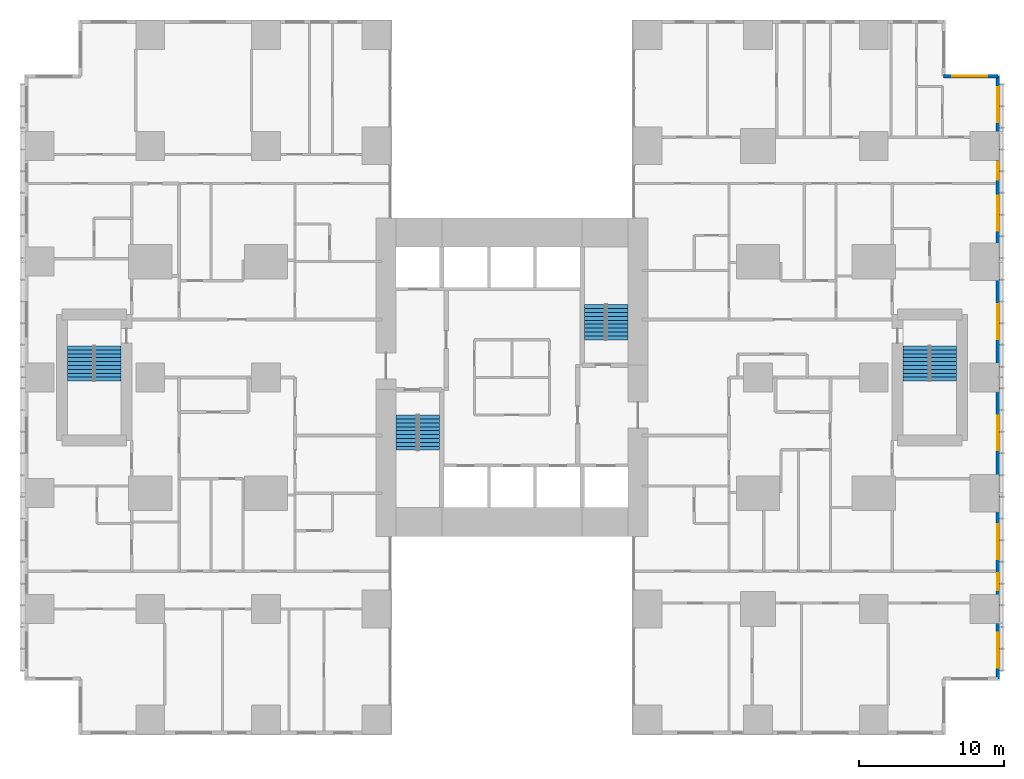
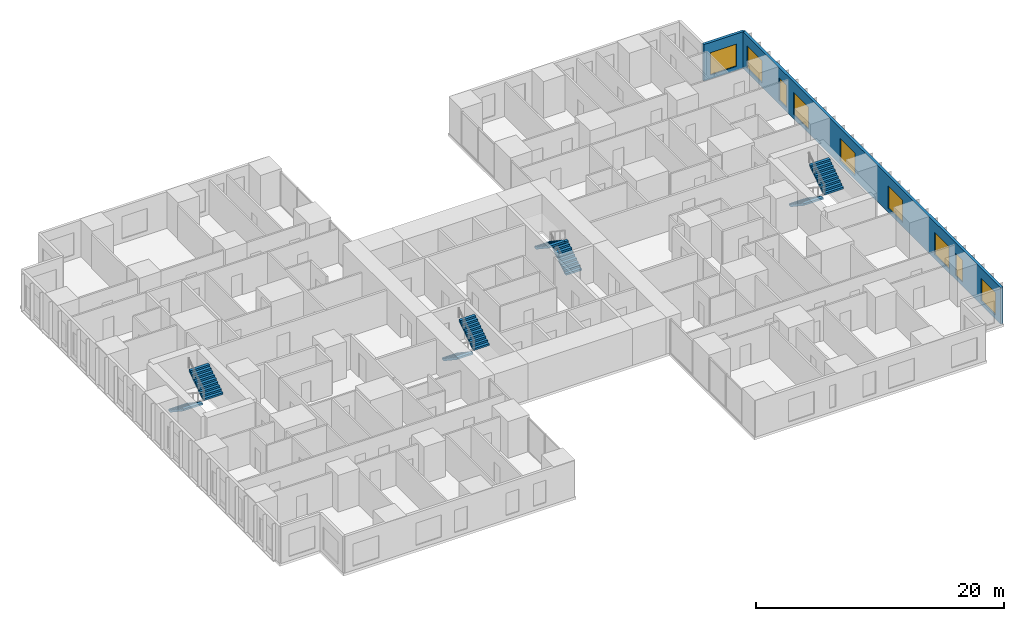
# One storey, part 19 of 20: 9 windows, 8 stair flights, 2 walls, 9 openings, 4 elements without a shape of their own.
"""IFC4 building model written with IfcOpenShell, lengths in metres."""

from ifc_helpers import new_model, si_unit, direction, frame, frame_2d, origin, place, context, subcontext, project, spatial, polyline, rectangle, outline, extrude, material, layer, layer_set, type_object, element, fill, aggregate, save


model = new_model("IFC4")

# Units and contexts
model_context = context("Model", 3, precision=1e-05, world=origin(), true_north=direction((0.0, 1.0)))
body_context = subcontext(model_context, "Body", "Model", "MODEL_VIEW")
ifc_project = project(units=[si_unit("LENGTHUNIT", "METRE"), si_unit("AREAUNIT", "SQUARE_METRE"), si_unit("VOLUMEUNIT", "CUBIC_METRE"), si_unit("PLANEANGLEUNIT", "RADIAN"), si_unit("MASSUNIT", "GRAM", prefix="KILO")], contexts=[model_context])

# Site, building, storey
site_placement = place(None, origin())
site = spatial("IfcSite", under=ifc_project, at=site_placement, CompositionType="ELEMENT")
building_placement = place(site_placement, origin())
building = spatial("IfcBuilding", under=site, at=building_placement, Name="Cleftline Residences", CompositionType="ELEMENT")
storey_placement = place(building_placement, frame((0.0, 0.0, 135.800048828125)))
storey = spatial("IfcBuildingStorey", under=building, at=storey_placement, Name="L35", CompositionType="ELEMENT", Elevation=135.800048828125)

# Wall, openings, windows
ifc_material_1 = material(Name="Rendered reinforced concrete blockwork", Category="masonry")
ifc_layer = layer(ifc_material_1, 0.25)
ifc_layer_set = layer_set([ifc_layer], Name="EXTERNAL WALL 250")
wall_type = type_object("IfcWallType", Name="EXTERNAL WALL 250", PredefinedType="SOLIDWALL", material=ifc_layer_set)
wall_1_placement = place(storey_placement, frame((66.574951171875, 3.175048828125, 0.0), z_axis=(0.0, 0.0, 1.0), x_axis=(0.0, 1.0, 0.0)))
wall_1 = element("IfcWall", 1, at=wall_1_placement, inside=storey, type_object=wall_type, Name="External wall", PredefinedType="SOLIDWALL", context=body_context, shape_type="SweptSolid", body=[
    extrude(rectangle(XDim=41.64990234375, YDim=0.25, at=frame_2d((20.824951171875, 0.0))), origin(), (0.0, 0.0, 1.0), 3.599853515625),
])
opening_1_placement = place(wall_1_placement, frame((0.77490234375, 0.0, 0.39990234375)))
opening_1 = element("IfcOpeningElement", 2, at=opening_1_placement, cuts=wall_1, Name="Opening W12", PredefinedType="OPENING", context=body_context, shape_type="SweptSolid", body=[
    extrude(rectangle(XDim=2.39990234375, YDim=2.199951171875, at=frame_2d((1.199951171875, 1.10009765625))), frame((0.0, 0.135009765625, 0.0), z_axis=(0.0, -1.0, 0.0), x_axis=(1.0, 0.0, 0.0)), (0.0, 0.0, 1.0), 0.27001953125),
])
opening_2_placement = place(wall_1_placement, frame((6.10009765625, 0.0, 0.39990234375)))
opening_2 = element("IfcOpeningElement", 3, at=opening_2_placement, cuts=wall_1, Name="Opening W11", PredefinedType="OPENING", context=body_context, shape_type="SweptSolid", body=[
    extrude(rectangle(XDim=1.199951171875, YDim=2.199951171875, at=frame_2d((0.60009765625, 1.10009765625))), frame((0.0, 0.135009765625, 0.0), z_axis=(0.0, -1.0, 0.0), x_axis=(1.0, 0.0, 0.0)), (0.0, 0.0, 1.0), 0.27001953125),
])
opening_3_placement = place(wall_1_placement, frame((8.27490234375, 0.0, 0.39990234375)))
opening_3 = element("IfcOpeningElement", 4, at=opening_3_placement, cuts=wall_1, Name="Opening W12", PredefinedType="OPENING", context=body_context, shape_type="SweptSolid", body=[
    extrude(rectangle(XDim=2.39990234375, YDim=2.199951171875, at=frame_2d((1.199951171875, 1.10009765625))), frame((0.0, 0.135009765625, 0.0), z_axis=(0.0, -1.0, 0.0), x_axis=(1.0, 0.0, 0.0)), (0.0, 0.0, 1.0), 0.27001953125),
])
opening_4_placement = place(wall_1_placement, frame((15.77490234375, 0.0, 0.39990234375)))
opening_4 = element("IfcOpeningElement", 5, at=opening_4_placement, cuts=wall_1, Name="Opening W12", PredefinedType="OPENING", context=body_context, shape_type="SweptSolid", body=[
    extrude(rectangle(XDim=2.39990234375, YDim=2.199951171875, at=frame_2d((1.199951171875, 1.10009765625))), frame((0.0, 0.135009765625, 0.0), z_axis=(0.0, -1.0, 0.0), x_axis=(1.0, 0.0, 0.0)), (0.0, 0.0, 1.0), 0.27001953125),
])
opening_5_placement = place(wall_1_placement, frame((23.47509765625, 0.0, 0.39990234375)))
opening_5 = element("IfcOpeningElement", 6, at=opening_5_placement, cuts=wall_1, Name="Opening W12", PredefinedType="OPENING", context=body_context, shape_type="SweptSolid", body=[
    extrude(rectangle(XDim=2.39990234375, YDim=2.199951171875, at=frame_2d((1.199951171875, 1.10009765625))), frame((0.0, 0.135009765625, 0.0), z_axis=(0.0, -1.0, 0.0), x_axis=(1.0, 0.0, 0.0)), (0.0, 0.0, 1.0), 0.27001953125),
])
opening_6_placement = place(wall_1_placement, frame((30.97509765625, 0.0, 0.39990234375)))
opening_6 = element("IfcOpeningElement", 7, at=opening_6_placement, cuts=wall_1, Name="Opening W12", PredefinedType="OPENING", context=body_context, shape_type="SweptSolid", body=[
    extrude(rectangle(XDim=2.39990234375, YDim=2.199951171875, at=frame_2d((1.199951171875, 1.10009765625))), frame((0.0, 0.135009765625, 0.0), z_axis=(0.0, -1.0, 0.0), x_axis=(1.0, 0.0, 0.0)), (0.0, 0.0, 1.0), 0.27001953125),
])
opening_7_placement = place(wall_1_placement, frame((34.5, 0.0, 0.39990234375)))
opening_7 = element("IfcOpeningElement", 8, at=opening_7_placement, cuts=wall_1, Name="Opening W11", PredefinedType="OPENING", context=body_context, shape_type="SweptSolid", body=[
    extrude(rectangle(XDim=1.199951171875, YDim=2.199951171875, at=frame_2d((0.60009765625, 1.10009765625))), frame((0.0, 0.135009765625, 0.0), z_axis=(0.0, -1.0, 0.0), x_axis=(1.0, 0.0, 0.0)), (0.0, 0.0, 1.0), 0.27001953125),
])
opening_8_placement = place(wall_1_placement, frame((38.47509765625, 0.0, 0.39990234375)))
opening_8 = element("IfcOpeningElement", 9, at=opening_8_placement, cuts=wall_1, Name="Opening W12", PredefinedType="OPENING", context=body_context, shape_type="SweptSolid", body=[
    extrude(rectangle(XDim=2.39990234375, YDim=2.199951171875, at=frame_2d((1.199951171875, 1.10009765625))), frame((0.0, 0.135009765625, 0.0), z_axis=(0.0, -1.0, 0.0), x_axis=(1.0, 0.0, 0.0)), (0.0, 0.0, 1.0), 0.27001953125),
])
ifc_material_2 = material(Name="Aluminium frame, clear double glazing", Category="aluminium")
window_type_1 = type_object("IfcWindowType", Name="WINDOW 1200X2200", PartitioningType="DOUBLE_PANEL_VERTICAL", PredefinedType="WINDOW", material=ifc_material_2)
window_1_placement = place(opening_2_placement, origin())
window_1 = element("IfcWindow", 10, at=window_1_placement, inside=storey, type_object=window_type_1, Name="Window", OverallHeight=2.199951171875, OverallWidth=1.199951171875, PartitioningType="SINGLE_PANEL", PredefinedType="WINDOW", context=body_context, shape_type="SweptSolid", body=[
    extrude(rectangle(XDim=1.199951171875, YDim=2.199951171875, at=frame_2d((0.60009765625, 1.10009765625))), frame((0.0, 0.030029296875, 0.0), z_axis=(0.0, -1.0, 0.0), x_axis=(1.0, 0.0, 0.0)), (0.0, 0.0, 1.0), 0.06005859375),
])
fill(opening_2, window_1)
window_2_placement = place(opening_7_placement, origin())
window_2 = element("IfcWindow", 11, at=window_2_placement, inside=storey, type_object=window_type_1, Name="Window", OverallHeight=2.199951171875, OverallWidth=1.199951171875, PartitioningType="SINGLE_PANEL", PredefinedType="WINDOW", context=body_context, shape_type="SweptSolid", body=[
    extrude(rectangle(XDim=1.199951171875, YDim=2.199951171875, at=frame_2d((0.60009765625, 1.10009765625))), frame((0.0, 0.030029296875, 0.0), z_axis=(0.0, -1.0, 0.0), x_axis=(1.0, 0.0, 0.0)), (0.0, 0.0, 1.0), 0.06005859375),
])
fill(opening_7, window_2)
ifc_material_3 = material(Name="Aluminium frame, clear double glazing", Category="aluminium")
window_type_2 = type_object("IfcWindowType", Name="WINDOW 2400X2200", PartitioningType="DOUBLE_PANEL_VERTICAL", PredefinedType="WINDOW", material=ifc_material_3)
window_3_placement = place(opening_1_placement, origin())
window_3 = element("IfcWindow", 12, at=window_3_placement, inside=storey, type_object=window_type_2, Name="Window", OverallHeight=2.199951171875, OverallWidth=2.39990234375, PartitioningType="SINGLE_PANEL", PredefinedType="WINDOW", context=body_context, shape_type="SweptSolid", body=[
    extrude(rectangle(XDim=2.39990234375, YDim=2.199951171875, at=frame_2d((1.199951171875, 1.10009765625))), frame((0.0, 0.030029296875, 0.0), z_axis=(0.0, -1.0, 0.0), x_axis=(1.0, 0.0, 0.0)), (0.0, 0.0, 1.0), 0.06005859375),
])
fill(opening_1, window_3)
window_4_placement = place(opening_3_placement, origin())
window_4 = element("IfcWindow", 13, at=window_4_placement, inside=storey, type_object=window_type_2, Name="Window", OverallHeight=2.199951171875, OverallWidth=2.39990234375, PartitioningType="SINGLE_PANEL", PredefinedType="WINDOW", context=body_context, shape_type="SweptSolid", body=[
    extrude(rectangle(XDim=2.39990234375, YDim=2.199951171875, at=frame_2d((1.199951171875, 1.10009765625))), frame((0.0, 0.030029296875, 0.0), z_axis=(0.0, -1.0, 0.0), x_axis=(1.0, 0.0, 0.0)), (0.0, 0.0, 1.0), 0.06005859375),
])
fill(opening_3, window_4)
window_5_placement = place(opening_4_placement, origin())
window_5 = element("IfcWindow", 14, at=window_5_placement, inside=storey, type_object=window_type_2, Name="Window", OverallHeight=2.199951171875, OverallWidth=2.39990234375, PartitioningType="SINGLE_PANEL", PredefinedType="WINDOW", context=body_context, shape_type="SweptSolid", body=[
    extrude(rectangle(XDim=2.39990234375, YDim=2.199951171875, at=frame_2d((1.199951171875, 1.10009765625))), frame((0.0, 0.030029296875, 0.0), z_axis=(0.0, -1.0, 0.0), x_axis=(1.0, 0.0, 0.0)), (0.0, 0.0, 1.0), 0.06005859375),
])
fill(opening_4, window_5)
window_6_placement = place(opening_5_placement, origin())
window_6 = element("IfcWindow", 15, at=window_6_placement, inside=storey, type_object=window_type_2, Name="Window", OverallHeight=2.199951171875, OverallWidth=2.39990234375, PartitioningType="SINGLE_PANEL", PredefinedType="WINDOW", context=body_context, shape_type="SweptSolid", body=[
    extrude(rectangle(XDim=2.39990234375, YDim=2.199951171875, at=frame_2d((1.199951171875, 1.10009765625))), frame((0.0, 0.030029296875, 0.0), z_axis=(0.0, -1.0, 0.0), x_axis=(1.0, 0.0, 0.0)), (0.0, 0.0, 1.0), 0.06005859375),
])
fill(opening_5, window_6)
window_7_placement = place(opening_6_placement, origin())
window_7 = element("IfcWindow", 16, at=window_7_placement, inside=storey, type_object=window_type_2, Name="Window", OverallHeight=2.199951171875, OverallWidth=2.39990234375, PartitioningType="SINGLE_PANEL", PredefinedType="WINDOW", context=body_context, shape_type="SweptSolid", body=[
    extrude(rectangle(XDim=2.39990234375, YDim=2.199951171875, at=frame_2d((1.199951171875, 1.10009765625))), frame((0.0, 0.030029296875, 0.0), z_axis=(0.0, -1.0, 0.0), x_axis=(1.0, 0.0, 0.0)), (0.0, 0.0, 1.0), 0.06005859375),
])
fill(opening_6, window_7)
window_8_placement = place(opening_8_placement, origin())
window_8 = element("IfcWindow", 17, at=window_8_placement, inside=storey, type_object=window_type_2, Name="Window", OverallHeight=2.199951171875, OverallWidth=2.39990234375, PartitioningType="SINGLE_PANEL", PredefinedType="WINDOW", context=body_context, shape_type="SweptSolid", body=[
    extrude(rectangle(XDim=2.39990234375, YDim=2.199951171875, at=frame_2d((1.199951171875, 1.10009765625))), frame((0.0, 0.030029296875, 0.0), z_axis=(0.0, -1.0, 0.0), x_axis=(1.0, 0.0, 0.0)), (0.0, 0.0, 1.0), 0.06005859375),
])
fill(opening_8, window_8)

# Wall, opening, window
wall_2_placement = place(storey_placement, frame((66.574951171875, 44.824951171875, 0.0), z_axis=(0.0, 0.0, 1.0), x_axis=(-1.0, 0.0, 0.0)))
wall_2 = element("IfcWall", 18, at=wall_2_placement, inside=storey, type_object=wall_type, Name="External wall", PredefinedType="SOLIDWALL", context=body_context, shape_type="SweptSolid", body=[
    extrude(rectangle(XDim=3.75, YDim=0.25, at=frame_2d((1.875, 0.0))), origin(), (0.0, 0.0, 1.0), 3.599853515625),
])
opening_9_placement = place(wall_2_placement, frame((0.737548828125, 0.0, 0.39990234375)))
opening_9 = element("IfcOpeningElement", 19, at=opening_9_placement, cuts=wall_2, Name="Opening W12", PredefinedType="OPENING", context=body_context, shape_type="SweptSolid", body=[
    extrude(rectangle(XDim=2.39990234375, YDim=2.199951171875, at=frame_2d((1.199951171875, 1.10009765625))), frame((0.0, 0.135009765625, 0.0), z_axis=(0.0, -1.0, 0.0), x_axis=(1.0, 0.0, 0.0)), (0.0, 0.0, 1.0), 0.27001953125),
])
window_9_placement = place(opening_9_placement, origin())
window_9 = element("IfcWindow", 20, at=window_9_placement, inside=storey, type_object=window_type_2, Name="Window", OverallHeight=2.199951171875, OverallWidth=2.39990234375, PartitioningType="SINGLE_PANEL", PredefinedType="WINDOW", context=body_context, shape_type="SweptSolid", body=[
    extrude(rectangle(XDim=2.39990234375, YDim=2.199951171875, at=frame_2d((1.199951171875, 1.10009765625))), frame((0.0, 0.030029296875, 0.0), z_axis=(0.0, -1.0, 0.0), x_axis=(1.0, 0.0, 0.0)), (0.0, 0.0, 1.0), 0.06005859375),
])
fill(opening_9, window_9)

# Stair, stair flights
ifc_material_4 = material(Name="Concrete B45, stone treads", Category="masonry")
stair_type_1 = type_object("IfcStairType", Name="STAIR A 1450 WIDE 180 RISER", PredefinedType="HALF_TURN_STAIR", material=ifc_material_4)
stair_1_placement = place(storey_placement, origin())
stair_1 = element("IfcStair", 21, at=stair_1_placement, inside=storey, type_object=stair_type_1, Name="Stair A L35", PredefinedType="HALF_TURN_STAIR")
ifc_material_5 = material(Name="Concrete B45", Category="concrete")
stair_flight_type_1 = type_object("IfcStairFlightType", Name="STAIR A FLIGHT 1450X180", PredefinedType="STRAIGHT", material=ifc_material_5)
stair_flight_1_placement = place(storey_placement, frame((25.72509765625, 21.39990234375, 0.0), z_axis=(0.0, 0.0, 1.0), x_axis=(0.0, -1.0, 0.0)))
stair_flight_1 = element("IfcStairFlight", 22, at=stair_flight_1_placement, type_object=stair_flight_type_1, Name="ST-A flight 1", NumberOfRisers=10, NumberOfTreads=9, PredefinedType="STRAIGHT", RiserHeight=0.18, TreadLength=0.27, context=body_context, shape_type="SweptSolid", body=[
    extrude(outline(polyline([(0.0, 0.0), (0.0, 0.013916015625), (0.0, 0.027587890625), (0.0, 0.04150390625), (0.0, 0.055419921875), (0.0, 0.0693359375), (0.0, 0.0830078125), (0.0, 0.096923828125), (0.0, 0.11083984375), (0.0, 0.12451171875), (0.0, 0.138427734375), (0.0, 0.15234375), (0.0, 0.166259765625), (0.0, 0.179931640625), (0.27001953125, 0.179931640625), (0.27001953125, 0.360107421875), (0.5400390625, 0.360107421875), (0.5400390625, 0.5400390625), (0.81005859375, 0.5400390625), (0.81005859375, 0.719970703125), (1.080078125, 0.719970703125), (1.080078125, 0.89990234375), (1.35009765625, 0.89990234375), (1.35009765625, 1.080078125), (1.6201171875, 1.080078125), (1.6201171875, 1.260009765625), (1.889892578125, 1.260009765625), (1.889892578125, 1.43994140625), (2.159912109375, 1.43994140625), (2.159912109375, 1.6201171875), (2.429931640625, 1.6201171875), (2.429931640625, 1.800048828125), (2.429931640625, 1.772216796875), (2.429931640625, 1.74462890625), (2.429931640625, 1.716796875), (2.429931640625, 1.689208984375), (2.429931640625, 1.661376953125), (2.429931640625, 1.6337890625), (2.429931640625, 1.60595703125), (2.429931640625, 1.578369140625), (2.429931640625, 1.550537109375), (2.429931640625, 1.52294921875), (2.429931640625, 1.495361328125), (2.429931640625, 1.467529296875), (2.429931640625, 1.43994140625), (0.270263671875, 0.0), (0.0, 0.0)])), frame((0.0, 0.72509765625, 0.0), z_axis=(0.0, -1.0, 0.0), x_axis=(1.0, 0.0, 0.0)), (0.0, 0.0, 1.0), 1.449951171875),
])
stair_flight_2_placement = place(storey_placement, frame((27.27490234375, 18.969970703125, 1.800048828125), z_axis=(0.0, 0.0, 1.0), x_axis=(0.0, 1.0, 0.0)))
stair_flight_2 = element("IfcStairFlight", 23, at=stair_flight_2_placement, type_object=stair_flight_type_1, Name="ST-A flight 2", NumberOfRisers=10, NumberOfTreads=9, PredefinedType="STRAIGHT", RiserHeight=0.18, TreadLength=0.27, context=body_context, shape_type="SweptSolid", body=[
    extrude(outline(polyline([(0.0, 0.0), (0.0, 0.013916015625), (0.0, 0.027587890625), (0.0, 0.04150390625), (0.0, 0.055419921875), (0.0, 0.0693359375), (0.0, 0.0830078125), (0.0, 0.096923828125), (0.0, 0.11083984375), (0.0, 0.12451171875), (0.0, 0.138427734375), (0.0, 0.15234375), (0.0, 0.166259765625), (0.0, 0.179931640625), (0.27001953125, 0.179931640625), (0.27001953125, 0.360107421875), (0.5400390625, 0.360107421875), (0.5400390625, 0.5400390625), (0.81005859375, 0.5400390625), (0.81005859375, 0.719970703125), (1.080078125, 0.719970703125), (1.080078125, 0.89990234375), (1.35009765625, 0.89990234375), (1.35009765625, 1.080078125), (1.6201171875, 1.080078125), (1.6201171875, 1.260009765625), (1.889892578125, 1.260009765625), (1.889892578125, 1.43994140625), (2.159912109375, 1.43994140625), (2.159912109375, 1.6201171875), (2.429931640625, 1.6201171875), (2.429931640625, 1.800048828125), (2.429931640625, 1.772216796875), (2.429931640625, 1.74462890625), (2.429931640625, 1.716796875), (2.429931640625, 1.689208984375), (2.429931640625, 1.661376953125), (2.429931640625, 1.6337890625), (2.429931640625, 1.60595703125), (2.429931640625, 1.578369140625), (2.429931640625, 1.550537109375), (2.429931640625, 1.52294921875), (2.429931640625, 1.495361328125), (2.429931640625, 1.467529296875), (2.429931640625, 1.43994140625), (0.270263671875, 0.0), (0.0, 0.0)])), frame((0.0, 0.72509765625, 0.0), z_axis=(0.0, -1.0, 0.0), x_axis=(1.0, 0.0, 0.0)), (0.0, 0.0, 1.0), 1.449951171875),
])
aggregate(stair_1, [stair_flight_1, stair_flight_2])

ifc_material_6 = material(Name="Concrete B45, stone treads", Category="masonry")
stair_type_2 = type_object("IfcStairType", Name="STAIR B 1450 WIDE 180 RISER", PredefinedType="HALF_TURN_STAIR", material=ifc_material_6)
stair_2_placement = place(storey_placement, origin())
stair_2 = element("IfcStair", 24, at=stair_2_placement, inside=storey, type_object=stair_type_2, Name="Stair B L35", PredefinedType="HALF_TURN_STAIR")
ifc_material_7 = material(Name="Concrete B45", Category="concrete")
stair_flight_type_2 = type_object("IfcStairFlightType", Name="STAIR B FLIGHT 1450X180", PredefinedType="STRAIGHT", material=ifc_material_7)
stair_flight_3_placement = place(storey_placement, frame((40.27490234375, 26.60009765625, 0.0), z_axis=(0.0, 0.0, 1.0), x_axis=(0.0, 1.0, 0.0)))
stair_flight_3 = element("IfcStairFlight", 25, at=stair_flight_3_placement, type_object=stair_flight_type_2, Name="ST-B flight 1", NumberOfRisers=10, NumberOfTreads=9, PredefinedType="STRAIGHT", RiserHeight=0.18, TreadLength=0.27, context=body_context, shape_type="SweptSolid", body=[
    extrude(outline(polyline([(0.0, 0.0), (0.0, 0.013916015625), (0.0, 0.027587890625), (0.0, 0.04150390625), (0.0, 0.055419921875), (0.0, 0.0693359375), (0.0, 0.0830078125), (0.0, 0.096923828125), (0.0, 0.11083984375), (0.0, 0.12451171875), (0.0, 0.138427734375), (0.0, 0.15234375), (0.0, 0.166259765625), (0.0, 0.179931640625), (0.27001953125, 0.179931640625), (0.27001953125, 0.360107421875), (0.5400390625, 0.360107421875), (0.5400390625, 0.5400390625), (0.81005859375, 0.5400390625), (0.81005859375, 0.719970703125), (1.080078125, 0.719970703125), (1.080078125, 0.89990234375), (1.35009765625, 0.89990234375), (1.35009765625, 1.080078125), (1.6201171875, 1.080078125), (1.6201171875, 1.260009765625), (1.889892578125, 1.260009765625), (1.889892578125, 1.43994140625), (2.159912109375, 1.43994140625), (2.159912109375, 1.6201171875), (2.429931640625, 1.6201171875), (2.429931640625, 1.800048828125), (2.429931640625, 1.772216796875), (2.429931640625, 1.74462890625), (2.429931640625, 1.716796875), (2.429931640625, 1.689208984375), (2.429931640625, 1.661376953125), (2.429931640625, 1.6337890625), (2.429931640625, 1.60595703125), (2.429931640625, 1.578369140625), (2.429931640625, 1.550537109375), (2.429931640625, 1.52294921875), (2.429931640625, 1.495361328125), (2.429931640625, 1.467529296875), (2.429931640625, 1.43994140625), (0.270263671875, 0.0), (0.0, 0.0)])), frame((0.0, 0.72509765625, 0.0), z_axis=(0.0, -1.0, 0.0), x_axis=(1.0, 0.0, 0.0)), (0.0, 0.0, 1.0), 1.449951171875),
])
stair_flight_4_placement = place(storey_placement, frame((38.72509765625, 29.030029296875, 1.800048828125), z_axis=(0.0, 0.0, 1.0), x_axis=(0.0, -1.0, 0.0)))
stair_flight_4 = element("IfcStairFlight", 26, at=stair_flight_4_placement, type_object=stair_flight_type_2, Name="ST-B flight 2", NumberOfRisers=10, NumberOfTreads=9, PredefinedType="STRAIGHT", RiserHeight=0.18, TreadLength=0.27, context=body_context, shape_type="SweptSolid", body=[
    extrude(outline(polyline([(0.0, 0.0), (0.0, 0.013916015625), (0.0, 0.027587890625), (0.0, 0.04150390625), (0.0, 0.055419921875), (0.0, 0.0693359375), (0.0, 0.0830078125), (0.0, 0.096923828125), (0.0, 0.11083984375), (0.0, 0.12451171875), (0.0, 0.138427734375), (0.0, 0.15234375), (0.0, 0.166259765625), (0.0, 0.179931640625), (0.27001953125, 0.179931640625), (0.27001953125, 0.360107421875), (0.5400390625, 0.360107421875), (0.5400390625, 0.5400390625), (0.81005859375, 0.5400390625), (0.81005859375, 0.719970703125), (1.080078125, 0.719970703125), (1.080078125, 0.89990234375), (1.35009765625, 0.89990234375), (1.35009765625, 1.080078125), (1.6201171875, 1.080078125), (1.6201171875, 1.260009765625), (1.889892578125, 1.260009765625), (1.889892578125, 1.43994140625), (2.159912109375, 1.43994140625), (2.159912109375, 1.6201171875), (2.429931640625, 1.6201171875), (2.429931640625, 1.800048828125), (2.429931640625, 1.772216796875), (2.429931640625, 1.74462890625), (2.429931640625, 1.716796875), (2.429931640625, 1.689208984375), (2.429931640625, 1.661376953125), (2.429931640625, 1.6337890625), (2.429931640625, 1.60595703125), (2.429931640625, 1.578369140625), (2.429931640625, 1.550537109375), (2.429931640625, 1.52294921875), (2.429931640625, 1.495361328125), (2.429931640625, 1.467529296875), (2.429931640625, 1.43994140625), (0.270263671875, 0.0), (0.0, 0.0)])), frame((0.0, 0.72509765625, 0.0), z_axis=(0.0, -1.0, 0.0), x_axis=(1.0, 0.0, 0.0)), (0.0, 0.0, 1.0), 1.449951171875),
])
aggregate(stair_2, [stair_flight_3, stair_flight_4])

ifc_material_8 = material(Name="Concrete B45, stone treads", Category="masonry")
stair_type_3 = type_object("IfcStairType", Name="STAIR E 1800 WIDE 180 RISER", PredefinedType="HALF_TURN_STAIR", material=ifc_material_8)
stair_3_placement = place(storey_placement, origin())
stair_3 = element("IfcStair", 27, at=stair_3_placement, inside=storey, type_object=stair_type_3, Name="Stair E L35", PredefinedType="HALF_TURN_STAIR")
ifc_material_9 = material(Name="Concrete B45", Category="concrete")
stair_flight_type_3 = type_object("IfcStairFlightType", Name="STAIR E FLIGHT 1800X180", PredefinedType="STRAIGHT", material=ifc_material_9)
stair_flight_5_placement = place(storey_placement, frame((60.925048828125, 26.175048828125, 0.0), z_axis=(0.0, 0.0, 1.0), x_axis=(0.0, -1.0, 0.0)))
stair_flight_5 = element("IfcStairFlight", 28, at=stair_flight_5_placement, type_object=stair_flight_type_3, Name="ST-E flight 1", NumberOfRisers=10, NumberOfTreads=9, PredefinedType="STRAIGHT", RiserHeight=0.18, TreadLength=0.27, context=body_context, shape_type="SweptSolid", body=[
    extrude(outline(polyline([(0.0, 0.0), (0.0, 0.013916015625), (0.0, 0.027587890625), (0.0, 0.04150390625), (0.0, 0.055419921875), (0.0, 0.0693359375), (0.0, 0.0830078125), (0.0, 0.096923828125), (0.0, 0.11083984375), (0.0, 0.12451171875), (0.0, 0.138427734375), (0.0, 0.15234375), (0.0, 0.166259765625), (0.0, 0.179931640625), (0.27001953125, 0.179931640625), (0.27001953125, 0.360107421875), (0.5400390625, 0.360107421875), (0.5400390625, 0.5400390625), (0.81005859375, 0.5400390625), (0.81005859375, 0.719970703125), (1.080078125, 0.719970703125), (1.080078125, 0.89990234375), (1.35009765625, 0.89990234375), (1.35009765625, 1.080078125), (1.6201171875, 1.080078125), (1.6201171875, 1.260009765625), (1.889892578125, 1.260009765625), (1.889892578125, 1.43994140625), (2.159912109375, 1.43994140625), (2.159912109375, 1.6201171875), (2.429931640625, 1.6201171875), (2.429931640625, 1.800048828125), (2.429931640625, 1.772216796875), (2.429931640625, 1.74462890625), (2.429931640625, 1.716796875), (2.429931640625, 1.689208984375), (2.429931640625, 1.661376953125), (2.429931640625, 1.6337890625), (2.429931640625, 1.60595703125), (2.429931640625, 1.578369140625), (2.429931640625, 1.550537109375), (2.429931640625, 1.52294921875), (2.429931640625, 1.495361328125), (2.429931640625, 1.467529296875), (2.429931640625, 1.43994140625), (0.270263671875, 0.0), (0.0, 0.0)])), frame((0.0, 0.89990234375, 0.0), z_axis=(0.0, -1.0, 0.0), x_axis=(1.0, 0.0, 0.0)), (0.0, 0.0, 1.0), 1.800048828125),
])
stair_flight_6_placement = place(storey_placement, frame((62.824951171875, 23.7451171875, 1.800048828125), z_axis=(0.0, 0.0, 1.0), x_axis=(0.0, 1.0, 0.0)))
stair_flight_6 = element("IfcStairFlight", 29, at=stair_flight_6_placement, type_object=stair_flight_type_3, Name="ST-E flight 2", NumberOfRisers=10, NumberOfTreads=9, PredefinedType="STRAIGHT", RiserHeight=0.18, TreadLength=0.27, context=body_context, shape_type="SweptSolid", body=[
    extrude(outline(polyline([(0.0, 0.0), (0.0, 0.013916015625), (0.0, 0.027587890625), (0.0, 0.04150390625), (0.0, 0.055419921875), (0.0, 0.0693359375), (0.0, 0.0830078125), (0.0, 0.096923828125), (0.0, 0.11083984375), (0.0, 0.12451171875), (0.0, 0.138427734375), (0.0, 0.15234375), (0.0, 0.166259765625), (0.0, 0.179931640625), (0.27001953125, 0.179931640625), (0.27001953125, 0.360107421875), (0.5400390625, 0.360107421875), (0.5400390625, 0.5400390625), (0.81005859375, 0.5400390625), (0.81005859375, 0.719970703125), (1.080078125, 0.719970703125), (1.080078125, 0.89990234375), (1.35009765625, 0.89990234375), (1.35009765625, 1.080078125), (1.6201171875, 1.080078125), (1.6201171875, 1.260009765625), (1.889892578125, 1.260009765625), (1.889892578125, 1.43994140625), (2.159912109375, 1.43994140625), (2.159912109375, 1.6201171875), (2.429931640625, 1.6201171875), (2.429931640625, 1.800048828125), (2.429931640625, 1.772216796875), (2.429931640625, 1.74462890625), (2.429931640625, 1.716796875), (2.429931640625, 1.689208984375), (2.429931640625, 1.661376953125), (2.429931640625, 1.6337890625), (2.429931640625, 1.60595703125), (2.429931640625, 1.578369140625), (2.429931640625, 1.550537109375), (2.429931640625, 1.52294921875), (2.429931640625, 1.495361328125), (2.429931640625, 1.467529296875), (2.429931640625, 1.43994140625), (0.270263671875, 0.0), (0.0, 0.0)])), frame((0.0, 0.89990234375, 0.0), z_axis=(0.0, -1.0, 0.0), x_axis=(1.0, 0.0, 0.0)), (0.0, 0.0, 1.0), 1.800048828125),
])
aggregate(stair_3, [stair_flight_5, stair_flight_6])

ifc_material_10 = material(Name="Concrete B45, stone treads", Category="masonry")
stair_type_4 = type_object("IfcStairType", Name="STAIR W 1800 WIDE 180 RISER", PredefinedType="HALF_TURN_STAIR", material=ifc_material_10)
stair_4_placement = place(storey_placement, origin())
stair_4 = element("IfcStair", 30, at=stair_4_placement, inside=storey, type_object=stair_type_4, Name="Stair W L35", PredefinedType="HALF_TURN_STAIR")
ifc_material_11 = material(Name="Concrete B45", Category="concrete")
stair_flight_type_4 = type_object("IfcStairFlightType", Name="STAIR W FLIGHT 1800X180", PredefinedType="STRAIGHT", material=ifc_material_11)
stair_flight_7_placement = place(storey_placement, frame((3.175048828125, 26.175048828125, 0.0), z_axis=(0.0, 0.0, 1.0), x_axis=(0.0, -1.0, 0.0)))
stair_flight_7 = element("IfcStairFlight", 31, at=stair_flight_7_placement, type_object=stair_flight_type_4, Name="ST-W flight 1", NumberOfRisers=10, NumberOfTreads=9, PredefinedType="STRAIGHT", RiserHeight=0.18, TreadLength=0.27, context=body_context, shape_type="SweptSolid", body=[
    extrude(outline(polyline([(0.0, 0.0), (0.0, 0.013916015625), (0.0, 0.027587890625), (0.0, 0.04150390625), (0.0, 0.055419921875), (0.0, 0.0693359375), (0.0, 0.0830078125), (0.0, 0.096923828125), (0.0, 0.11083984375), (0.0, 0.12451171875), (0.0, 0.138427734375), (0.0, 0.15234375), (0.0, 0.166259765625), (0.0, 0.179931640625), (0.27001953125, 0.179931640625), (0.27001953125, 0.360107421875), (0.5400390625, 0.360107421875), (0.5400390625, 0.5400390625), (0.81005859375, 0.5400390625), (0.81005859375, 0.719970703125), (1.080078125, 0.719970703125), (1.080078125, 0.89990234375), (1.35009765625, 0.89990234375), (1.35009765625, 1.080078125), (1.6201171875, 1.080078125), (1.6201171875, 1.260009765625), (1.889892578125, 1.260009765625), (1.889892578125, 1.43994140625), (2.159912109375, 1.43994140625), (2.159912109375, 1.6201171875), (2.429931640625, 1.6201171875), (2.429931640625, 1.800048828125), (2.429931640625, 1.772216796875), (2.429931640625, 1.74462890625), (2.429931640625, 1.716796875), (2.429931640625, 1.689208984375), (2.429931640625, 1.661376953125), (2.429931640625, 1.6337890625), (2.429931640625, 1.60595703125), (2.429931640625, 1.578369140625), (2.429931640625, 1.550537109375), (2.429931640625, 1.52294921875), (2.429931640625, 1.495361328125), (2.429931640625, 1.467529296875), (2.429931640625, 1.43994140625), (0.270263671875, 0.0), (0.0, 0.0)])), frame((0.0, 0.89990234375, 0.0), z_axis=(0.0, -1.0, 0.0), x_axis=(1.0, 0.0, 0.0)), (0.0, 0.0, 1.0), 1.800048828125),
])
stair_flight_8_placement = place(storey_placement, frame((5.074951171875, 23.7451171875, 1.800048828125), z_axis=(0.0, 0.0, 1.0), x_axis=(0.0, 1.0, 0.0)))
stair_flight_8 = element("IfcStairFlight", 32, at=stair_flight_8_placement, type_object=stair_flight_type_4, Name="ST-W flight 2", NumberOfRisers=10, NumberOfTreads=9, PredefinedType="STRAIGHT", RiserHeight=0.18, TreadLength=0.27, context=body_context, shape_type="SweptSolid", body=[
    extrude(outline(polyline([(0.0, 0.0), (0.0, 0.013916015625), (0.0, 0.027587890625), (0.0, 0.04150390625), (0.0, 0.055419921875), (0.0, 0.0693359375), (0.0, 0.0830078125), (0.0, 0.096923828125), (0.0, 0.11083984375), (0.0, 0.12451171875), (0.0, 0.138427734375), (0.0, 0.15234375), (0.0, 0.166259765625), (0.0, 0.179931640625), (0.27001953125, 0.179931640625), (0.27001953125, 0.360107421875), (0.5400390625, 0.360107421875), (0.5400390625, 0.5400390625), (0.81005859375, 0.5400390625), (0.81005859375, 0.719970703125), (1.080078125, 0.719970703125), (1.080078125, 0.89990234375), (1.35009765625, 0.89990234375), (1.35009765625, 1.080078125), (1.6201171875, 1.080078125), (1.6201171875, 1.260009765625), (1.889892578125, 1.260009765625), (1.889892578125, 1.43994140625), (2.159912109375, 1.43994140625), (2.159912109375, 1.6201171875), (2.429931640625, 1.6201171875), (2.429931640625, 1.800048828125), (2.429931640625, 1.772216796875), (2.429931640625, 1.74462890625), (2.429931640625, 1.716796875), (2.429931640625, 1.689208984375), (2.429931640625, 1.661376953125), (2.429931640625, 1.6337890625), (2.429931640625, 1.60595703125), (2.429931640625, 1.578369140625), (2.429931640625, 1.550537109375), (2.429931640625, 1.52294921875), (2.429931640625, 1.495361328125), (2.429931640625, 1.467529296875), (2.429931640625, 1.43994140625), (0.270263671875, 0.0), (0.0, 0.0)])), frame((0.0, 0.89990234375, 0.0), z_axis=(0.0, -1.0, 0.0), x_axis=(1.0, 0.0, 0.0)), (0.0, 0.0, 1.0), 1.800048828125),
])
aggregate(stair_4, [stair_flight_7, stair_flight_8])

save(model, "model.ifc")
